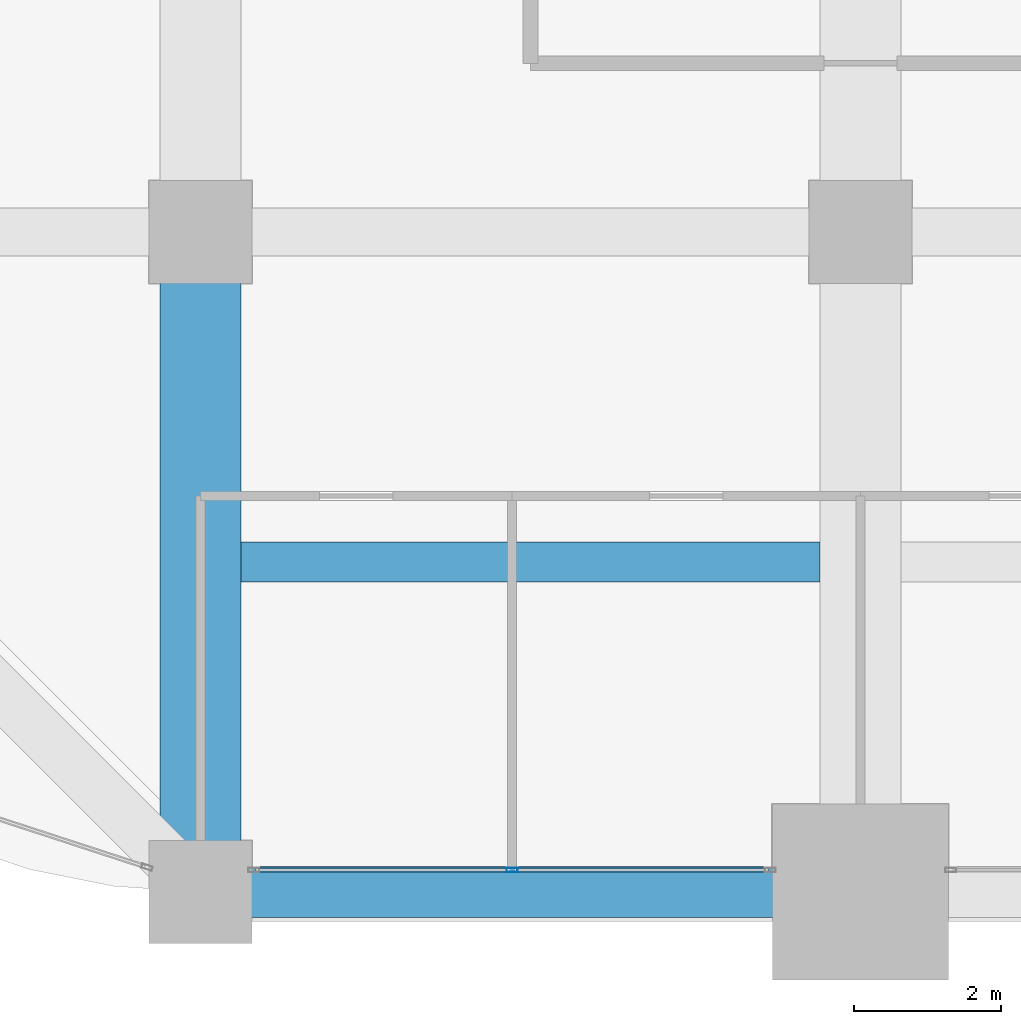
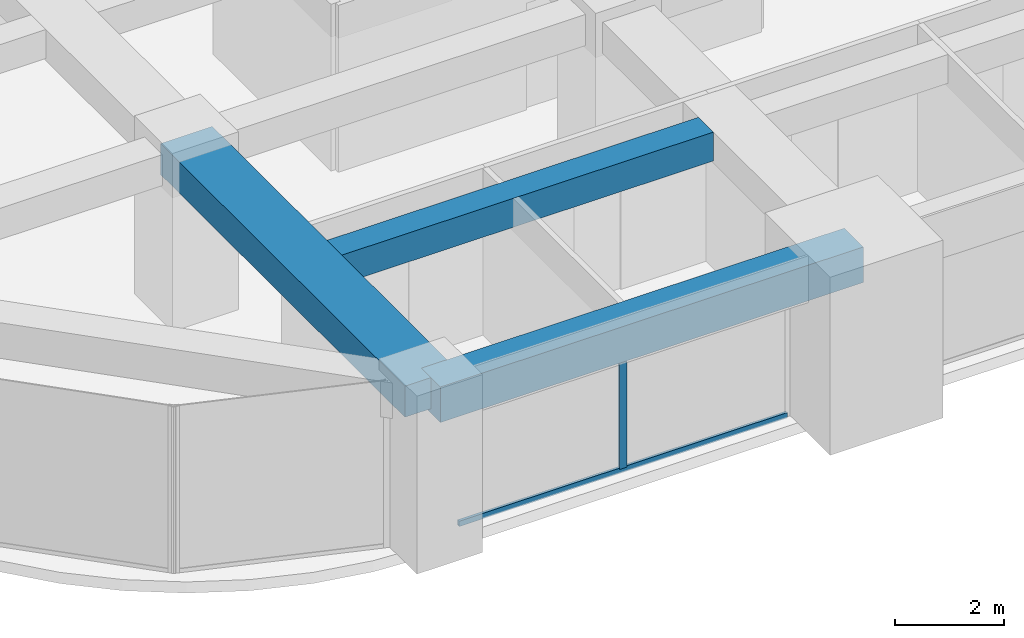
# One storey, part 3 of 33: 3 beams, 2 members, 1 element without a shape of its own.
"""IFC4 building model written with IfcOpenShell, lengths in metres."""

from ifc_helpers import new_model, si_unit, direction, frame, origin, origin_2d, place, context, subcontext, project, spatial, rectangle, hollow_rectangle, extrude, material, material_profile, profile_set, type_object, element, aggregate, save


model = new_model("IFC4")

# Units and contexts
model_context = context("Model", 3, precision=1e-05, world=origin(), true_north=direction((0.0, 1.0)))
body_context = subcontext(model_context, "Body", "Model", "MODEL_VIEW")
ifc_project = project(units=[si_unit("LENGTHUNIT", "METRE"), si_unit("AREAUNIT", "SQUARE_METRE"), si_unit("VOLUMEUNIT", "CUBIC_METRE"), si_unit("PLANEANGLEUNIT", "RADIAN"), si_unit("MASSUNIT", "GRAM", prefix="KILO")], contexts=[model_context])

# Site, building, storey
site_placement = place(None, origin())
site = spatial("IfcSite", under=ifc_project, at=site_placement, CompositionType="ELEMENT")
building_placement = place(site_placement, origin())
building = spatial("IfcBuilding", under=site, at=building_placement, Name="Zorevar Civic Tower", CompositionType="ELEMENT")
storey_placement = place(building_placement, frame((0.0, 0.0, 206.199951171875)))
storey = spatial("IfcBuildingStorey", under=building, at=storey_placement, Name="L50", CompositionType="ELEMENT", Elevation=206.199951171875)

# Beams
ifc_material_1 = material(Name="Concrete C50/60", Category="concrete")
ifc_material_profile_1 = material_profile(ifc_material_1, rectangle(XDim=1.10009765625, YDim=0.699951171875, at=origin_2d()), Name="RC 1100x700")
ifc_profile_set_1 = profile_set([ifc_material_profile_1], Name="Concrete C50/60")
beam_type_1 = type_object("IfcBeamType", Name="Beam RC 1100x700", PredefinedType="BEAM", material=ifc_profile_set_1)
beam_1_placement = place(storey_placement, frame((9.0, 0.0, 3.400146484375), z_axis=(0.0, 1.0, 0.0), x_axis=(-1.0, 0.0, 0.0)))
element("IfcBeam", 1, at=beam_1_placement, inside=storey, type_object=beam_type_1, Name="Girder L51", PredefinedType="BEAM", context=body_context, shape_type="SweptSolid", body=[
    extrude(rectangle(XDim=1.10009765625, YDim=0.699951171875, at=origin_2d()), origin(), (0.0, 0.0, 1.0), 9.0),
])
ifc_material_2 = material(Name="Concrete C50/60", Category="concrete")
ifc_material_profile_2 = material_profile(ifc_material_2, rectangle(XDim=0.550048828125, YDim=0.64990234375, at=origin_2d()), Name="RC 550x650")
ifc_profile_set_2 = profile_set([ifc_material_profile_2], Name="Concrete C50/60")
beam_type_2 = type_object("IfcBeamType", Name="Beam RC 550x650", PredefinedType="BEAM", material=ifc_profile_set_2)
beam_2_placement = place(storey_placement, frame((9.550048828125, 4.5, 3.425048828125), z_axis=(1.0, 0.0, 0.0), x_axis=(0.0, 1.0, 0.0)))
element("IfcBeam", 2, at=beam_2_placement, inside=storey, type_object=beam_type_2, Name="Secondary beam L51", PredefinedType="BEAM", context=body_context, shape_type="SweptSolid", body=[
    extrude(rectangle(XDim=0.550048828125, YDim=0.64990234375, at=origin_2d()), origin(), (0.0, 0.0, 1.0), 7.89990234375),
])

# Curtain wall, members
ifc_material_3 = material(Name="Dark grey solar-control glass in black aluminium frame", Category="aluminium")
curtain_wall_type = type_object("IfcCurtainWallType", Name="Curtain wall CW4 high zone", PredefinedType="NOTDEFINED", material=ifc_material_3)
curtain_wall_placement = place(storey_placement, origin())
curtain_wall = element("IfcCurtainWall", 3, at=curtain_wall_placement, inside=storey, type_object=curtain_wall_type, Name="CW4 L50", PredefinedType="NOTDEFINED")
ifc_material_4 = material(Name="Aluminium, black anodised", Category="aluminium")
ifc_material_profile_3 = material_profile(ifc_material_4, hollow_rectangle(XDim=0.06005859375, YDim=0.14990234375, WallThickness=0.00390625, at=origin_2d()), Name="AL 150x60x4")
ifc_profile_set_3 = profile_set([ifc_material_profile_3], Name="Aluminium, black anodised")
member_type_1 = type_object("IfcMemberType", Name="CW4 mullion AL 150x60x4", PredefinedType="MULLION", material=ifc_profile_set_3)
member_1_placement = place(storey_placement, frame((13.25, 0.300048828125, 0.06005859375), z_axis=(0.0, 0.0, 1.0), x_axis=(0.0, 1.0, 0.0)))
member_1 = element("IfcMember", 4, at=member_1_placement, type_object=member_type_1, Name="CW4 mullion 2", PredefinedType="MULLION", context=body_context, shape_type="SweptSolid", body=[
    extrude(hollow_rectangle(XDim=0.06005859375, YDim=0.14990234375, WallThickness=0.00390625, at=origin_2d()), origin(), (0.0, 0.0, 1.0), 2.889892578125),
])
ifc_material_5 = material(Name="Aluminium, black anodised", Category="aluminium")
ifc_material_profile_4 = material_profile(ifc_material_5, hollow_rectangle(XDim=0.06005859375, YDim=0.1201171875, WallThickness=0.0029296875, at=origin_2d()), Name="AL 120x60x3")
ifc_profile_set_4 = profile_set([ifc_material_profile_4], Name="Aluminium, black anodised")
member_type_2 = type_object("IfcMemberType", Name="CW4 transom AL 120x60x3", PredefinedType="USERDEFINED", material=ifc_profile_set_4)
member_2_placement = place(storey_placement, frame((9.760009765625, 0.300048828125, 0.030029296875), z_axis=(1.0, 0.0, 0.0), x_axis=(0.0, 1.0, 0.0)))
member_2 = element("IfcMember", 5, at=member_2_placement, type_object=member_type_2, Name="CW4 sill transom", ObjectType="TRANSOM", PredefinedType="USERDEFINED", context=body_context, shape_type="SweptSolid", body=[
    extrude(hollow_rectangle(XDim=0.06005859375, YDim=0.1201171875, WallThickness=0.0029296875, at=origin_2d()), origin(), (0.0, 0.0, 1.0), 6.97998046875),
])
aggregate(curtain_wall, [member_1, member_2])

# Beam
ifc_material_6 = material(Name="Concrete C50/60", Category="concrete")
ifc_material_profile_5 = material_profile(ifc_material_6, rectangle(XDim=0.699951171875, YDim=0.800048828125, at=origin_2d()), Name="RC 700x800")
ifc_profile_set_5 = profile_set([ifc_material_profile_5], Name="Concrete C50/60")
beam_type_3 = type_object("IfcBeamType", Name="Edge beam RC 700x800", PredefinedType="SPANDREL", material=ifc_profile_set_5)
beam_3_placement = place(storey_placement, frame((9.0, 0.0, 3.35009765625), z_axis=(1.0, 0.0, 0.0), x_axis=(0.0, 1.0, 0.0)))
element("IfcBeam", 6, at=beam_3_placement, inside=storey, type_object=beam_type_3, Name="Edge beam L51", PredefinedType="SPANDREL", context=body_context, shape_type="SweptSolid", body=[
    extrude(rectangle(XDim=0.699951171875, YDim=0.800048828125, at=origin_2d()), origin(), (0.0, 0.0, 1.0), 9.0),
])

save(model, "model.ifc")
